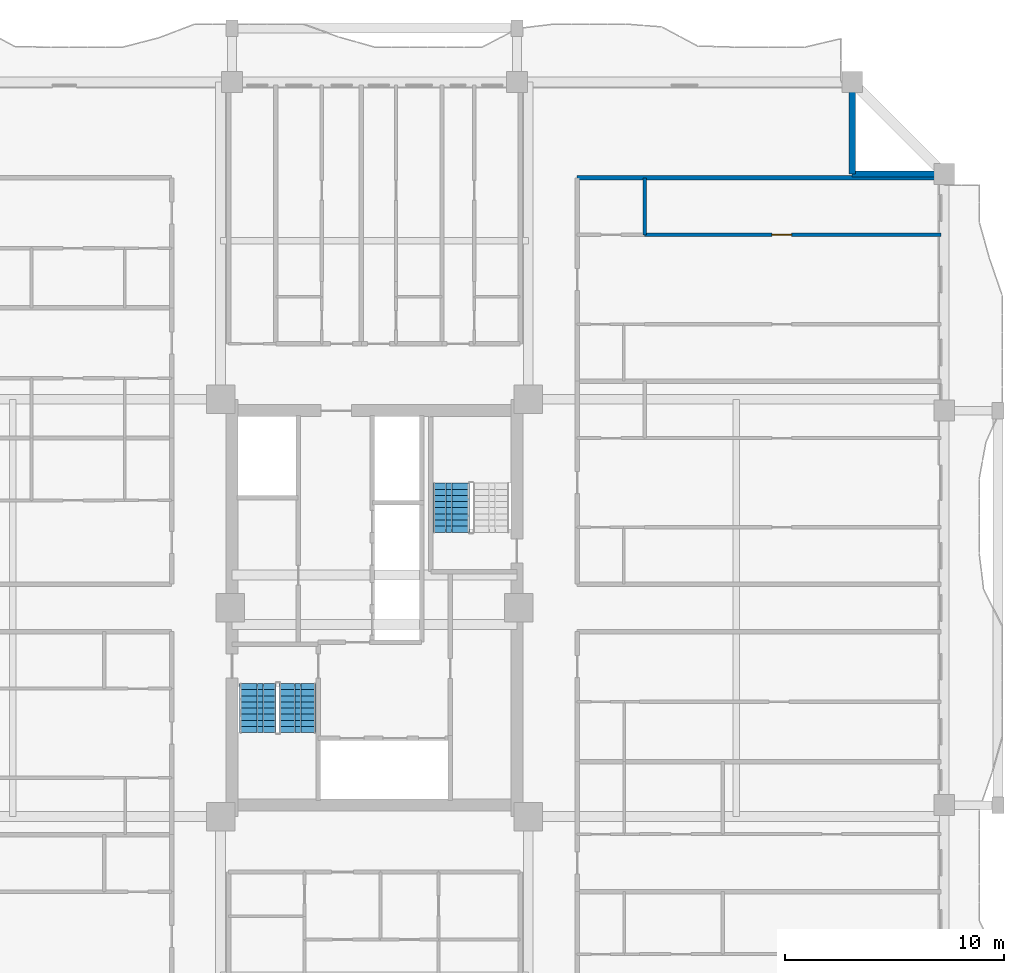
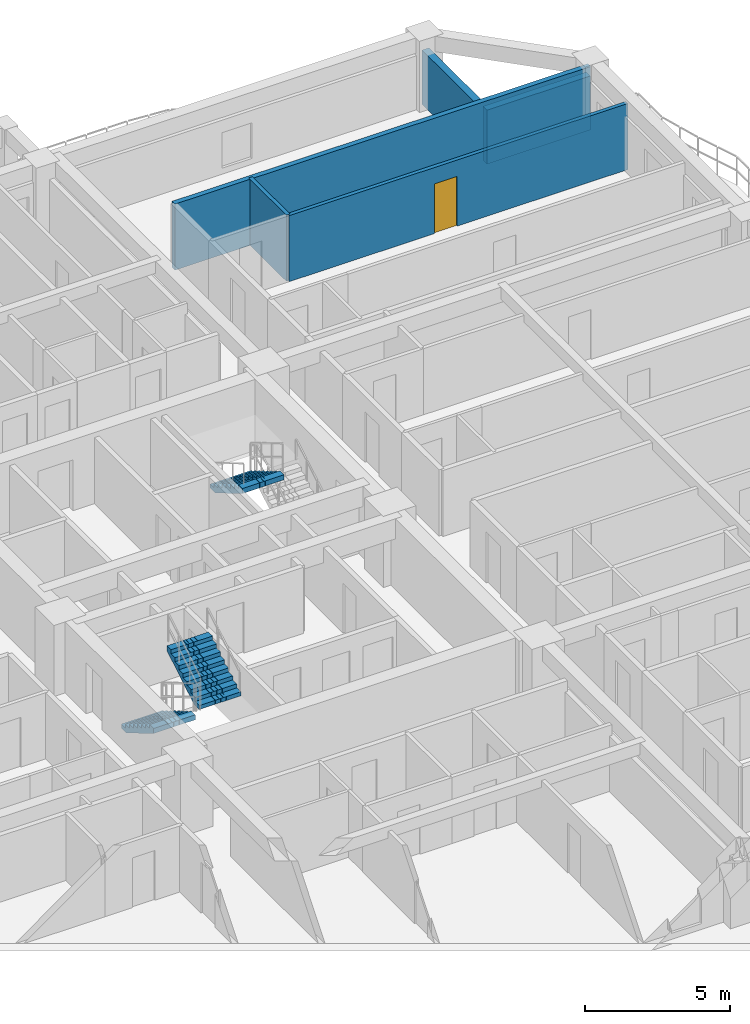
# One storey, part 9 of 14: 5 walls, 3 stair flights, 1 door, 1 opening, 2 elements without a shape of their own.
"""IFC4 building model written with IfcOpenShell, lengths in metres."""

from ifc_helpers import new_model, si_unit, direction, frame, frame_2d, origin, place, context, subcontext, project, spatial, polyline, rectangle, outline, extrude, source, transform, mapped, material, layer, layer_set, type_object, element, fill, aggregate, save


model = new_model("IFC4")

# Units and contexts
model_context = context("Model", 3, precision=1e-05, world=origin(), true_north=direction((0.0, 1.0)))
body_context = subcontext(model_context, "Body", "Model", "MODEL_VIEW")
ifc_project = project(units=[si_unit("LENGTHUNIT", "METRE"), si_unit("AREAUNIT", "SQUARE_METRE"), si_unit("VOLUMEUNIT", "CUBIC_METRE"), si_unit("PLANEANGLEUNIT", "RADIAN"), si_unit("MASSUNIT", "GRAM", prefix="KILO")], contexts=[model_context])

# Site, building, storey
site_placement = place(None, origin())
site = spatial("IfcSite", under=ifc_project, at=site_placement, CompositionType="ELEMENT")
building_placement = place(site_placement, origin())
building = spatial("IfcBuilding", under=site, at=building_placement, Name="Saelheon Loggia Tower", CompositionType="ELEMENT")
storey_placement = place(building_placement, frame((0.0, 0.0, 119.85009765625)))
storey = spatial("IfcBuildingStorey", under=building, at=storey_placement, Name="L38", CompositionType="ELEMENT", Elevation=119.85009765625)

# Walls
ifc_material_1 = material(Name="Architectural Precast Concrete C40/50", Category="concrete")
ifc_layer_1 = layer(ifc_material_1, 0.280029296875)
ifc_layer_set_1 = layer_set([ifc_layer_1], Name="Architectural Precast Concrete C40/50")
wall_type_1 = type_object("IfcWallType", Name="Wall_Ext_Loggia_280", PredefinedType="SOLIDWALL", material=ifc_layer_set_1)
for number, where, z_axis, x_axis, name in (
    (1, (59.800048828125, 46.800048828125, 0.0), (0.0, 0.0, 1.0), (0.0, 1.0, 0.0), "L38 Corner Notch Precast Wall NE1"),
    (2, (59.800048828125, 46.800048828125, 0.0), (0.0, 0.0, 1.0), (1.0, 0.0, 0.0), "L38 Corner Notch Precast Wall NE2"),
):
    element("IfcWall", number, at=place(storey_placement, frame(where, z_axis=z_axis, x_axis=x_axis)), inside=storey, type_object=wall_type_1, Name=name, PredefinedType="SOLIDWALL", context=body_context, shape_type="SweptSolid", body=[
        extrude(rectangle(XDim=4.119873046875, YDim=0.280029296875, at=frame_2d((2.06005859375, 0.0))), origin(), (0.0, 0.0, 1.0), 2.27978515625),
    ])
ifc_material_2 = material(Name="Lightweight Autoclaved Aerated Concrete Block and Acoustic Gypsum", Category="concrete")
ifc_layer_2 = layer(ifc_material_2, 0.14990234375)
ifc_layer_set_2 = layer_set([ifc_layer_2], Name="Lightweight Autoclaved Aerated Concrete Block and Acoustic Gypsum")
wall_type_2 = type_object("IfcWallType", Name="Wall_Part_150", PredefinedType="PARTITIONING", material=ifc_layer_set_2)
wall_1_placement = place(storey_placement, frame((50.330078125, 44.02001953125, 0.0), z_axis=(0.0, 0.0, 1.0), x_axis=(0.0, 1.0, 0.0)))
element("IfcWall", 3, at=wall_1_placement, inside=storey, type_object=wall_type_2, Name="L38 EN Partition V18", PredefinedType="PARTITIONING", context=body_context, shape_type="SweptSolid", body=[
    extrude(rectangle(XDim=2.60009765625, YDim=0.14990234375, at=frame_2d((1.300048828125, 0.0))), origin(), (0.0, 0.0, 1.0), 2.789794921875),
])

# Wall, opening, door
wall_2_placement = place(storey_placement, frame((50.330078125, 44.02001953125, 0.0), z_axis=(0.0, 0.0, 1.0), x_axis=(1.0, 0.0, 0.0)))
wall_2 = element("IfcWall", 4, at=wall_2_placement, inside=storey, type_object=wall_type_2, Name="L38 EN Partition U23", PredefinedType="PARTITIONING", context=body_context, shape_type="SweptSolid", body=[
    extrude(rectangle(XDim=13.52001953125, YDim=0.14990234375, at=frame_2d((6.760009765625, 0.0))), origin(), (0.0, 0.0, 1.0), 2.789794921875),
])
opening_placement = place(wall_2_placement, frame((5.80419921875, 0.0, 0.0)))
opening = element("IfcOpeningElement", 5, at=opening_placement, cuts=wall_2, Name="Opening D-IN2", PredefinedType="OPENING", context=body_context, shape_type="SweptSolid", body=[
    extrude(rectangle(XDim=0.89990234375, YDim=2.10009765625, at=frame_2d((0.449951171875, 1.050048828125))), frame((0.0, 0.0869140625, 0.0), z_axis=(0.0, -1.0, 0.0), x_axis=(1.0, 0.0, 0.0)), (0.0, 0.0, 1.0), 0.173828125),
])
ifc_material_3 = material(Name="Engineered Oak Flush Door", Category="timber")
door_type = type_object("IfcDoorType", Name="Door_Int_900", OperationType="NOTDEFINED", PredefinedType="DOOR", material=ifc_material_3)
shared_shape = source(origin(), body_context, "Body", "SweptSolid", [
    extrude(rectangle(XDim=0.89990234375, YDim=2.10009765625, at=frame_2d((0.449951171875, 1.050048828125))), frame((0.0, 0.02490234375, 0.0), z_axis=(0.0, -1.0, 0.0), x_axis=(1.0, 0.0, 0.0)), (0.0, 0.0, 1.0), 0.050048828125),
])
door_placement = place(opening_placement, origin())
door = element("IfcDoor", 6, at=door_placement, inside=storey, type_object=door_type, Name="Unit U14 Bedroom 1 Door", OperationType="SINGLE_SWING_LEFT", OverallHeight=2.10009765625, OverallWidth=0.89990234375, PredefinedType="DOOR", context=body_context, shape_type="MappedRepresentation", body=[
    mapped(shared_shape, transform((0.0, 0.0, 0.0), scale=1.0)),
])
fill(opening, door)

# Wall
ifc_material_4 = material(Name="Double Acoustic Stud and Fireboard Partition", Category="gypsum")
ifc_layer_3 = layer(ifc_material_4, 0.199951171875)
ifc_layer_set_3 = layer_set([ifc_layer_3], Name="Double Acoustic Stud and Fireboard Partition")
wall_type_3 = type_object("IfcWallType", Name="Wall_Party_200", PredefinedType="PARTITIONING", material=ifc_layer_set_3)
wall_3_placement = place(storey_placement, frame((47.25, 46.6201171875, 0.0), z_axis=(0.0, 0.0, 1.0), x_axis=(1.0, 0.0, 0.0)))
element("IfcWall", 7, at=wall_3_placement, inside=storey, type_object=wall_type_3, Name="L38 EN Partition U02", PredefinedType="PARTITIONING", context=body_context, shape_type="SweptSolid", body=[
    extrude(rectangle(XDim=16.60009765625, YDim=0.199951171875, at=frame_2d((8.300048828125, 0.0))), origin(), (0.0, 0.0, 1.0), 2.789794921875),
])

# Stair, stair flights
ifc_material_5 = material(Name="Concrete C40/50", Category="concrete")
stair_type = type_object("IfcStairType", Name="Stair_Escape_Core", PredefinedType="HALF_TURN_STAIR", material=ifc_material_5)
stair_1_placement = place(storey_placement, origin())
stair_1 = element("IfcStair", 8, at=stair_1_placement, inside=storey, type_object=stair_type, Name="L38 Special Escape Stair ST1", PredefinedType="HALF_TURN_STAIR")
stair_flight_type = type_object("IfcStairFlightType", Name="StairFlight_Tower_1660", PredefinedType="STRAIGHT", material=ifc_material_5)
stair_flight_1_placement = place(storey_placement, frame((32.679931640625, 23.550048828125, 0.0), z_axis=(0.0, 0.0, 1.0), x_axis=(0.0, -1.0, 0.0)))
stair_flight_1 = element("IfcStairFlight", 9, at=stair_flight_1_placement, type_object=stair_flight_type, Name="ST1 flight 1", NumberOfRisers=9, NumberOfTreads=8, PredefinedType="STRAIGHT", RiserHeight=0.166666667, TreadLength=0.28, context=body_context, shape_type="SweptSolid", body=[
    extrude(outline(polyline([(0.0, 0.0), (0.0, 0.166748046875), (0.280029296875, 0.166748046875), (0.280029296875, 0.333251953125), (0.56005859375, 0.333251953125), (0.56005859375, 0.5), (0.840087890625, 0.5), (0.840087890625, 0.666748046875), (1.1201171875, 0.666748046875), (1.1201171875, 0.833251953125), (1.39990234375, 0.833251953125), (1.39990234375, 1.0), (1.679931640625, 1.0), (1.679931640625, 1.166748046875), (1.9599609375, 1.166748046875), (1.9599609375, 1.333251953125), (2.239990234375, 1.333251953125), (2.239990234375, 1.5), (2.239990234375, 1.1240234375), (0.351806640625, 0.0), (0.0, 0.0)])), frame((0.0, -0.2490234375, 0.0), z_axis=(0.0, -1.0, 0.0), x_axis=(1.0, 0.0, 0.0)), (0.0, 0.0, 1.0), 0.5810546875),
    extrude(outline(polyline([(0.0, 0.0), (0.0, 0.166748046875), (0.280029296875, 0.166748046875), (0.280029296875, 0.333251953125), (0.56005859375, 0.333251953125), (0.56005859375, 0.5), (0.840087890625, 0.5), (0.840087890625, 0.666748046875), (1.1201171875, 0.666748046875), (1.1201171875, 0.833251953125), (1.39990234375, 0.833251953125), (1.39990234375, 1.0), (1.679931640625, 1.0), (1.679931640625, 1.166748046875), (1.9599609375, 1.166748046875), (1.9599609375, 1.333251953125), (2.239990234375, 1.333251953125), (2.239990234375, 1.5), (2.239990234375, 1.1240234375), (0.351806640625, 0.0), (0.0, 0.0)])), frame((0.0, -0.194091796875, 0.0), z_axis=(0.0, -1.0, 0.0), x_axis=(1.0, 0.0, 0.0)), (0.0, 0.0, 1.0), 0.0498046875),
    extrude(outline(polyline([(0.0, 0.0), (0.0, 0.166748046875), (0.280029296875, 0.166748046875), (0.280029296875, 0.333251953125), (0.56005859375, 0.333251953125), (0.56005859375, 0.5), (0.840087890625, 0.5), (0.840087890625, 0.666748046875), (1.1201171875, 0.666748046875), (1.1201171875, 0.833251953125), (1.39990234375, 0.833251953125), (1.39990234375, 1.0), (1.679931640625, 1.0), (1.679931640625, 1.166748046875), (1.9599609375, 1.166748046875), (1.9599609375, 1.333251953125), (2.239990234375, 1.333251953125), (2.239990234375, 1.5), (2.239990234375, 1.1240234375), (0.351806640625, 0.0), (0.0, 0.0)])), frame((0.0, -0.139404296875, 0.0), z_axis=(0.0, -1.0, 0.0), x_axis=(1.0, 0.0, 0.0)), (0.0, 0.0, 1.0), 0.0498046875),
    extrude(outline(polyline([(0.0, 0.0), (0.0, 0.166748046875), (0.280029296875, 0.166748046875), (0.280029296875, 0.333251953125), (0.56005859375, 0.333251953125), (0.56005859375, 0.5), (0.840087890625, 0.5), (0.840087890625, 0.666748046875), (1.1201171875, 0.666748046875), (1.1201171875, 0.833251953125), (1.39990234375, 0.833251953125), (1.39990234375, 1.0), (1.679931640625, 1.0), (1.679931640625, 1.166748046875), (1.9599609375, 1.166748046875), (1.9599609375, 1.333251953125), (2.239990234375, 1.333251953125), (2.239990234375, 1.5), (2.239990234375, 1.1240234375), (0.351806640625, 0.0), (0.0, 0.0)])), frame((0.0, -0.084716796875, 0.0), z_axis=(0.0, -1.0, 0.0), x_axis=(1.0, 0.0, 0.0)), (0.0, 0.0, 1.0), 0.0498046875),
    extrude(outline(polyline([(0.0, 0.0), (0.0, 0.166748046875), (0.280029296875, 0.166748046875), (0.280029296875, 0.333251953125), (0.56005859375, 0.333251953125), (0.56005859375, 0.5), (0.840087890625, 0.5), (0.840087890625, 0.666748046875), (1.1201171875, 0.666748046875), (1.1201171875, 0.833251953125), (1.39990234375, 0.833251953125), (1.39990234375, 1.0), (1.679931640625, 1.0), (1.679931640625, 1.166748046875), (1.9599609375, 1.166748046875), (1.9599609375, 1.333251953125), (2.239990234375, 1.333251953125), (2.239990234375, 1.5), (2.239990234375, 1.1240234375), (0.351806640625, 0.0), (0.0, 0.0)])), frame((0.0, -0.02978515625, 0.0), z_axis=(0.0, -1.0, 0.0), x_axis=(1.0, 0.0, 0.0)), (0.0, 0.0, 1.0), 0.0498046875),
    extrude(outline(polyline([(0.0, 0.0), (0.0, 0.166748046875), (0.280029296875, 0.166748046875), (0.280029296875, 0.333251953125), (0.56005859375, 0.333251953125), (0.56005859375, 0.5), (0.840087890625, 0.5), (0.840087890625, 0.666748046875), (1.1201171875, 0.666748046875), (1.1201171875, 0.833251953125), (1.39990234375, 0.833251953125), (1.39990234375, 1.0), (1.679931640625, 1.0), (1.679931640625, 1.166748046875), (1.9599609375, 1.166748046875), (1.9599609375, 1.333251953125), (2.239990234375, 1.333251953125), (2.239990234375, 1.5), (2.239990234375, 1.1240234375), (0.351806640625, 0.0), (0.0, 0.0)])), frame((0.0, 0.02490234375, 0.0), z_axis=(0.0, -1.0, 0.0), x_axis=(1.0, 0.0, 0.0)), (0.0, 0.0, 1.0), 0.0498046875),
    extrude(outline(polyline([(0.0, 0.0), (0.0, 0.166748046875), (0.280029296875, 0.166748046875), (0.280029296875, 0.333251953125), (0.56005859375, 0.333251953125), (0.56005859375, 0.5), (0.840087890625, 0.5), (0.840087890625, 0.666748046875), (1.1201171875, 0.666748046875), (1.1201171875, 0.833251953125), (1.39990234375, 0.833251953125), (1.39990234375, 1.0), (1.679931640625, 1.0), (1.679931640625, 1.166748046875), (1.9599609375, 1.166748046875), (1.9599609375, 1.333251953125), (2.239990234375, 1.333251953125), (2.239990234375, 1.5), (2.239990234375, 1.1240234375), (0.351806640625, 0.0), (0.0, 0.0)])), frame((0.0, 0.07958984375, 0.0), z_axis=(0.0, -1.0, 0.0), x_axis=(1.0, 0.0, 0.0)), (0.0, 0.0, 1.0), 0.0498046875),
    extrude(outline(polyline([(0.0, 0.0), (0.0, 0.166748046875), (0.280029296875, 0.166748046875), (0.280029296875, 0.333251953125), (0.56005859375, 0.333251953125), (0.56005859375, 0.5), (0.840087890625, 0.5), (0.840087890625, 0.666748046875), (1.1201171875, 0.666748046875), (1.1201171875, 0.833251953125), (1.39990234375, 0.833251953125), (1.39990234375, 1.0), (1.679931640625, 1.0), (1.679931640625, 1.166748046875), (1.9599609375, 1.166748046875), (1.9599609375, 1.333251953125), (2.239990234375, 1.333251953125), (2.239990234375, 1.5), (2.239990234375, 1.1240234375), (0.351806640625, 0.0), (0.0, 0.0)])), frame((0.0, 0.134521484375, 0.0), z_axis=(0.0, -1.0, 0.0), x_axis=(1.0, 0.0, 0.0)), (0.0, 0.0, 1.0), 0.0498046875),
    extrude(outline(polyline([(0.0, 0.0), (0.0, 0.166748046875), (0.280029296875, 0.166748046875), (0.280029296875, 0.333251953125), (0.56005859375, 0.333251953125), (0.56005859375, 0.5), (0.840087890625, 0.5), (0.840087890625, 0.666748046875), (1.1201171875, 0.666748046875), (1.1201171875, 0.833251953125), (1.39990234375, 0.833251953125), (1.39990234375, 1.0), (1.679931640625, 1.0), (1.679931640625, 1.166748046875), (1.9599609375, 1.166748046875), (1.9599609375, 1.333251953125), (2.239990234375, 1.333251953125), (2.239990234375, 1.5), (2.239990234375, 1.1240234375), (0.351806640625, 0.0), (0.0, 0.0)])), frame((0.0, 0.189208984375, 0.0), z_axis=(0.0, -1.0, 0.0), x_axis=(1.0, 0.0, 0.0)), (0.0, 0.0, 1.0), 0.0498046875),
    extrude(outline(polyline([(0.0, 0.0), (0.0, 0.166748046875), (0.280029296875, 0.166748046875), (0.280029296875, 0.333251953125), (0.56005859375, 0.333251953125), (0.56005859375, 0.5), (0.840087890625, 0.5), (0.840087890625, 0.666748046875), (1.1201171875, 0.666748046875), (1.1201171875, 0.833251953125), (1.39990234375, 0.833251953125), (1.39990234375, 1.0), (1.679931640625, 1.0), (1.679931640625, 1.166748046875), (1.9599609375, 1.166748046875), (1.9599609375, 1.333251953125), (2.239990234375, 1.333251953125), (2.239990234375, 1.5), (2.239990234375, 1.1240234375), (0.351806640625, 0.0), (0.0, 0.0)])), frame((0.0, 0.243896484375, 0.0), z_axis=(0.0, -1.0, 0.0), x_axis=(1.0, 0.0, 0.0)), (0.0, 0.0, 1.0), 0.0498046875),
    extrude(outline(polyline([(0.0, 0.0), (0.0, 0.166748046875), (0.280029296875, 0.166748046875), (0.280029296875, 0.333251953125), (0.56005859375, 0.333251953125), (0.56005859375, 0.5), (0.840087890625, 0.5), (0.840087890625, 0.666748046875), (1.1201171875, 0.666748046875), (1.1201171875, 0.833251953125), (1.39990234375, 0.833251953125), (1.39990234375, 1.0), (1.679931640625, 1.0), (1.679931640625, 1.166748046875), (1.9599609375, 1.166748046875), (1.9599609375, 1.333251953125), (2.239990234375, 1.333251953125), (2.239990234375, 1.5), (2.239990234375, 1.1240234375), (0.351806640625, 0.0), (0.0, 0.0)])), frame((0.0, 0.830078125, 0.0), z_axis=(0.0, -1.0, 0.0), x_axis=(1.0, 0.0, 0.0)), (0.0, 0.0, 1.0), 0.5810546875),
])
stair_flight_2_placement = place(storey_placement, frame((34.5, 21.31005859375, 1.5), z_axis=(0.0, 0.0, 1.0), x_axis=(0.0, 1.0, 0.0)))
stair_flight_2 = element("IfcStairFlight", 10, at=stair_flight_2_placement, type_object=stair_flight_type, Name="ST1 flight 2", NumberOfRisers=9, NumberOfTreads=8, PredefinedType="STRAIGHT", RiserHeight=0.166666667, TreadLength=0.28, context=body_context, shape_type="SweptSolid", body=[
    extrude(outline(polyline([(0.0, 0.0), (0.0, 0.166748046875), (0.280029296875, 0.166748046875), (0.280029296875, 0.333251953125), (0.56005859375, 0.333251953125), (0.56005859375, 0.5), (0.840087890625, 0.5), (0.840087890625, 0.666748046875), (1.1201171875, 0.666748046875), (1.1201171875, 0.833251953125), (1.39990234375, 0.833251953125), (1.39990234375, 1.0), (1.679931640625, 1.0), (1.679931640625, 1.166748046875), (1.9599609375, 1.166748046875), (1.9599609375, 1.333251953125), (2.239990234375, 1.333251953125), (2.239990234375, 1.5), (2.239990234375, 1.1240234375), (0.351806640625, 0.0), (0.0, 0.0)])), frame((0.0, -0.2490234375, 0.0), z_axis=(0.0, -1.0, 0.0), x_axis=(1.0, 0.0, 0.0)), (0.0, 0.0, 1.0), 0.5810546875),
    extrude(outline(polyline([(0.0, 0.0), (0.0, 0.166748046875), (0.280029296875, 0.166748046875), (0.280029296875, 0.333251953125), (0.56005859375, 0.333251953125), (0.56005859375, 0.5), (0.840087890625, 0.5), (0.840087890625, 0.666748046875), (1.1201171875, 0.666748046875), (1.1201171875, 0.833251953125), (1.39990234375, 0.833251953125), (1.39990234375, 1.0), (1.679931640625, 1.0), (1.679931640625, 1.166748046875), (1.9599609375, 1.166748046875), (1.9599609375, 1.333251953125), (2.239990234375, 1.333251953125), (2.239990234375, 1.5), (2.239990234375, 1.1240234375), (0.351806640625, 0.0), (0.0, 0.0)])), frame((0.0, -0.194091796875, 0.0), z_axis=(0.0, -1.0, 0.0), x_axis=(1.0, 0.0, 0.0)), (0.0, 0.0, 1.0), 0.0498046875),
    extrude(outline(polyline([(0.0, 0.0), (0.0, 0.166748046875), (0.280029296875, 0.166748046875), (0.280029296875, 0.333251953125), (0.56005859375, 0.333251953125), (0.56005859375, 0.5), (0.840087890625, 0.5), (0.840087890625, 0.666748046875), (1.1201171875, 0.666748046875), (1.1201171875, 0.833251953125), (1.39990234375, 0.833251953125), (1.39990234375, 1.0), (1.679931640625, 1.0), (1.679931640625, 1.166748046875), (1.9599609375, 1.166748046875), (1.9599609375, 1.333251953125), (2.239990234375, 1.333251953125), (2.239990234375, 1.5), (2.239990234375, 1.1240234375), (0.351806640625, 0.0), (0.0, 0.0)])), frame((0.0, -0.139404296875, 0.0), z_axis=(0.0, -1.0, 0.0), x_axis=(1.0, 0.0, 0.0)), (0.0, 0.0, 1.0), 0.0498046875),
    extrude(outline(polyline([(0.0, 0.0), (0.0, 0.166748046875), (0.280029296875, 0.166748046875), (0.280029296875, 0.333251953125), (0.56005859375, 0.333251953125), (0.56005859375, 0.5), (0.840087890625, 0.5), (0.840087890625, 0.666748046875), (1.1201171875, 0.666748046875), (1.1201171875, 0.833251953125), (1.39990234375, 0.833251953125), (1.39990234375, 1.0), (1.679931640625, 1.0), (1.679931640625, 1.166748046875), (1.9599609375, 1.166748046875), (1.9599609375, 1.333251953125), (2.239990234375, 1.333251953125), (2.239990234375, 1.5), (2.239990234375, 1.1240234375), (0.351806640625, 0.0), (0.0, 0.0)])), frame((0.0, -0.084716796875, 0.0), z_axis=(0.0, -1.0, 0.0), x_axis=(1.0, 0.0, 0.0)), (0.0, 0.0, 1.0), 0.0498046875),
    extrude(outline(polyline([(0.0, 0.0), (0.0, 0.166748046875), (0.280029296875, 0.166748046875), (0.280029296875, 0.333251953125), (0.56005859375, 0.333251953125), (0.56005859375, 0.5), (0.840087890625, 0.5), (0.840087890625, 0.666748046875), (1.1201171875, 0.666748046875), (1.1201171875, 0.833251953125), (1.39990234375, 0.833251953125), (1.39990234375, 1.0), (1.679931640625, 1.0), (1.679931640625, 1.166748046875), (1.9599609375, 1.166748046875), (1.9599609375, 1.333251953125), (2.239990234375, 1.333251953125), (2.239990234375, 1.5), (2.239990234375, 1.1240234375), (0.351806640625, 0.0), (0.0, 0.0)])), frame((0.0, -0.02978515625, 0.0), z_axis=(0.0, -1.0, 0.0), x_axis=(1.0, 0.0, 0.0)), (0.0, 0.0, 1.0), 0.0498046875),
    extrude(outline(polyline([(0.0, 0.0), (0.0, 0.166748046875), (0.280029296875, 0.166748046875), (0.280029296875, 0.333251953125), (0.56005859375, 0.333251953125), (0.56005859375, 0.5), (0.840087890625, 0.5), (0.840087890625, 0.666748046875), (1.1201171875, 0.666748046875), (1.1201171875, 0.833251953125), (1.39990234375, 0.833251953125), (1.39990234375, 1.0), (1.679931640625, 1.0), (1.679931640625, 1.166748046875), (1.9599609375, 1.166748046875), (1.9599609375, 1.333251953125), (2.239990234375, 1.333251953125), (2.239990234375, 1.5), (2.239990234375, 1.1240234375), (0.351806640625, 0.0), (0.0, 0.0)])), frame((0.0, 0.02490234375, 0.0), z_axis=(0.0, -1.0, 0.0), x_axis=(1.0, 0.0, 0.0)), (0.0, 0.0, 1.0), 0.0498046875),
    extrude(outline(polyline([(0.0, 0.0), (0.0, 0.166748046875), (0.280029296875, 0.166748046875), (0.280029296875, 0.333251953125), (0.56005859375, 0.333251953125), (0.56005859375, 0.5), (0.840087890625, 0.5), (0.840087890625, 0.666748046875), (1.1201171875, 0.666748046875), (1.1201171875, 0.833251953125), (1.39990234375, 0.833251953125), (1.39990234375, 1.0), (1.679931640625, 1.0), (1.679931640625, 1.166748046875), (1.9599609375, 1.166748046875), (1.9599609375, 1.333251953125), (2.239990234375, 1.333251953125), (2.239990234375, 1.5), (2.239990234375, 1.1240234375), (0.351806640625, 0.0), (0.0, 0.0)])), frame((0.0, 0.07958984375, 0.0), z_axis=(0.0, -1.0, 0.0), x_axis=(1.0, 0.0, 0.0)), (0.0, 0.0, 1.0), 0.0498046875),
    extrude(outline(polyline([(0.0, 0.0), (0.0, 0.166748046875), (0.280029296875, 0.166748046875), (0.280029296875, 0.333251953125), (0.56005859375, 0.333251953125), (0.56005859375, 0.5), (0.840087890625, 0.5), (0.840087890625, 0.666748046875), (1.1201171875, 0.666748046875), (1.1201171875, 0.833251953125), (1.39990234375, 0.833251953125), (1.39990234375, 1.0), (1.679931640625, 1.0), (1.679931640625, 1.166748046875), (1.9599609375, 1.166748046875), (1.9599609375, 1.333251953125), (2.239990234375, 1.333251953125), (2.239990234375, 1.5), (2.239990234375, 1.1240234375), (0.351806640625, 0.0), (0.0, 0.0)])), frame((0.0, 0.134521484375, 0.0), z_axis=(0.0, -1.0, 0.0), x_axis=(1.0, 0.0, 0.0)), (0.0, 0.0, 1.0), 0.0498046875),
    extrude(outline(polyline([(0.0, 0.0), (0.0, 0.166748046875), (0.280029296875, 0.166748046875), (0.280029296875, 0.333251953125), (0.56005859375, 0.333251953125), (0.56005859375, 0.5), (0.840087890625, 0.5), (0.840087890625, 0.666748046875), (1.1201171875, 0.666748046875), (1.1201171875, 0.833251953125), (1.39990234375, 0.833251953125), (1.39990234375, 1.0), (1.679931640625, 1.0), (1.679931640625, 1.166748046875), (1.9599609375, 1.166748046875), (1.9599609375, 1.333251953125), (2.239990234375, 1.333251953125), (2.239990234375, 1.5), (2.239990234375, 1.1240234375), (0.351806640625, 0.0), (0.0, 0.0)])), frame((0.0, 0.189208984375, 0.0), z_axis=(0.0, -1.0, 0.0), x_axis=(1.0, 0.0, 0.0)), (0.0, 0.0, 1.0), 0.0498046875),
    extrude(outline(polyline([(0.0, 0.0), (0.0, 0.166748046875), (0.280029296875, 0.166748046875), (0.280029296875, 0.333251953125), (0.56005859375, 0.333251953125), (0.56005859375, 0.5), (0.840087890625, 0.5), (0.840087890625, 0.666748046875), (1.1201171875, 0.666748046875), (1.1201171875, 0.833251953125), (1.39990234375, 0.833251953125), (1.39990234375, 1.0), (1.679931640625, 1.0), (1.679931640625, 1.166748046875), (1.9599609375, 1.166748046875), (1.9599609375, 1.333251953125), (2.239990234375, 1.333251953125), (2.239990234375, 1.5), (2.239990234375, 1.1240234375), (0.351806640625, 0.0), (0.0, 0.0)])), frame((0.0, 0.243896484375, 0.0), z_axis=(0.0, -1.0, 0.0), x_axis=(1.0, 0.0, 0.0)), (0.0, 0.0, 1.0), 0.0498046875),
    extrude(outline(polyline([(0.0, 0.0), (0.0, 0.166748046875), (0.280029296875, 0.166748046875), (0.280029296875, 0.333251953125), (0.56005859375, 0.333251953125), (0.56005859375, 0.5), (0.840087890625, 0.5), (0.840087890625, 0.666748046875), (1.1201171875, 0.666748046875), (1.1201171875, 0.833251953125), (1.39990234375, 0.833251953125), (1.39990234375, 1.0), (1.679931640625, 1.0), (1.679931640625, 1.166748046875), (1.9599609375, 1.166748046875), (1.9599609375, 1.333251953125), (2.239990234375, 1.333251953125), (2.239990234375, 1.5), (2.239990234375, 1.1240234375), (0.351806640625, 0.0), (0.0, 0.0)])), frame((0.0, 0.830078125, 0.0), z_axis=(0.0, -1.0, 0.0), x_axis=(1.0, 0.0, 0.0)), (0.0, 0.0, 1.0), 0.5810546875),
])
aggregate(stair_1, [stair_flight_1, stair_flight_2])

# Stair, stair flight
stair_2_placement = place(storey_placement, origin())
stair_2 = element("IfcStair", 11, at=stair_2_placement, inside=storey, type_object=stair_type, Name="L38 Special Escape Stair ST2", PredefinedType="HALF_TURN_STAIR")
stair_flight_3_placement = place(storey_placement, frame((41.5, 32.68994140625, 1.5), z_axis=(0.0, 0.0, 1.0), x_axis=(0.0, -1.0, 0.0)))
stair_flight_3 = element("IfcStairFlight", 12, at=stair_flight_3_placement, type_object=stair_flight_type, Name="ST2 flight 2", NumberOfRisers=9, NumberOfTreads=8, PredefinedType="STRAIGHT", RiserHeight=0.166666667, TreadLength=0.28, context=body_context, shape_type="SweptSolid", body=[
    extrude(outline(polyline([(0.0, 0.0), (0.0, 0.166748046875), (0.280029296875, 0.166748046875), (0.280029296875, 0.333251953125), (0.56005859375, 0.333251953125), (0.56005859375, 0.5), (0.840087890625, 0.5), (0.840087890625, 0.666748046875), (1.1201171875, 0.666748046875), (1.1201171875, 0.833251953125), (1.39990234375, 0.833251953125), (1.39990234375, 1.0), (1.679931640625, 1.0), (1.679931640625, 1.166748046875), (1.9599609375, 1.166748046875), (1.9599609375, 1.333251953125), (2.239990234375, 1.333251953125), (2.239990234375, 1.5), (2.239990234375, 1.1240234375), (0.351806640625, 0.0), (0.0, 0.0)])), frame((0.0, -0.2490234375, 0.0), z_axis=(0.0, -1.0, 0.0), x_axis=(1.0, 0.0, 0.0)), (0.0, 0.0, 1.0), 0.5810546875),
    extrude(outline(polyline([(0.0, 0.0), (0.0, 0.166748046875), (0.280029296875, 0.166748046875), (0.280029296875, 0.333251953125), (0.56005859375, 0.333251953125), (0.56005859375, 0.5), (0.840087890625, 0.5), (0.840087890625, 0.666748046875), (1.1201171875, 0.666748046875), (1.1201171875, 0.833251953125), (1.39990234375, 0.833251953125), (1.39990234375, 1.0), (1.679931640625, 1.0), (1.679931640625, 1.166748046875), (1.9599609375, 1.166748046875), (1.9599609375, 1.333251953125), (2.239990234375, 1.333251953125), (2.239990234375, 1.5), (2.239990234375, 1.1240234375), (0.351806640625, 0.0), (0.0, 0.0)])), frame((0.0, -0.194091796875, 0.0), z_axis=(0.0, -1.0, 0.0), x_axis=(1.0, 0.0, 0.0)), (0.0, 0.0, 1.0), 0.0498046875),
    extrude(outline(polyline([(0.0, 0.0), (0.0, 0.166748046875), (0.280029296875, 0.166748046875), (0.280029296875, 0.333251953125), (0.56005859375, 0.333251953125), (0.56005859375, 0.5), (0.840087890625, 0.5), (0.840087890625, 0.666748046875), (1.1201171875, 0.666748046875), (1.1201171875, 0.833251953125), (1.39990234375, 0.833251953125), (1.39990234375, 1.0), (1.679931640625, 1.0), (1.679931640625, 1.166748046875), (1.9599609375, 1.166748046875), (1.9599609375, 1.333251953125), (2.239990234375, 1.333251953125), (2.239990234375, 1.5), (2.239990234375, 1.1240234375), (0.351806640625, 0.0), (0.0, 0.0)])), frame((0.0, -0.139404296875, 0.0), z_axis=(0.0, -1.0, 0.0), x_axis=(1.0, 0.0, 0.0)), (0.0, 0.0, 1.0), 0.0498046875),
    extrude(outline(polyline([(0.0, 0.0), (0.0, 0.166748046875), (0.280029296875, 0.166748046875), (0.280029296875, 0.333251953125), (0.56005859375, 0.333251953125), (0.56005859375, 0.5), (0.840087890625, 0.5), (0.840087890625, 0.666748046875), (1.1201171875, 0.666748046875), (1.1201171875, 0.833251953125), (1.39990234375, 0.833251953125), (1.39990234375, 1.0), (1.679931640625, 1.0), (1.679931640625, 1.166748046875), (1.9599609375, 1.166748046875), (1.9599609375, 1.333251953125), (2.239990234375, 1.333251953125), (2.239990234375, 1.5), (2.239990234375, 1.1240234375), (0.351806640625, 0.0), (0.0, 0.0)])), frame((0.0, -0.084716796875, 0.0), z_axis=(0.0, -1.0, 0.0), x_axis=(1.0, 0.0, 0.0)), (0.0, 0.0, 1.0), 0.0498046875),
    extrude(outline(polyline([(0.0, 0.0), (0.0, 0.166748046875), (0.280029296875, 0.166748046875), (0.280029296875, 0.333251953125), (0.56005859375, 0.333251953125), (0.56005859375, 0.5), (0.840087890625, 0.5), (0.840087890625, 0.666748046875), (1.1201171875, 0.666748046875), (1.1201171875, 0.833251953125), (1.39990234375, 0.833251953125), (1.39990234375, 1.0), (1.679931640625, 1.0), (1.679931640625, 1.166748046875), (1.9599609375, 1.166748046875), (1.9599609375, 1.333251953125), (2.239990234375, 1.333251953125), (2.239990234375, 1.5), (2.239990234375, 1.1240234375), (0.351806640625, 0.0), (0.0, 0.0)])), frame((0.0, -0.02978515625, 0.0), z_axis=(0.0, -1.0, 0.0), x_axis=(1.0, 0.0, 0.0)), (0.0, 0.0, 1.0), 0.0498046875),
    extrude(outline(polyline([(0.0, 0.0), (0.0, 0.166748046875), (0.280029296875, 0.166748046875), (0.280029296875, 0.333251953125), (0.56005859375, 0.333251953125), (0.56005859375, 0.5), (0.840087890625, 0.5), (0.840087890625, 0.666748046875), (1.1201171875, 0.666748046875), (1.1201171875, 0.833251953125), (1.39990234375, 0.833251953125), (1.39990234375, 1.0), (1.679931640625, 1.0), (1.679931640625, 1.166748046875), (1.9599609375, 1.166748046875), (1.9599609375, 1.333251953125), (2.239990234375, 1.333251953125), (2.239990234375, 1.5), (2.239990234375, 1.1240234375), (0.351806640625, 0.0), (0.0, 0.0)])), frame((0.0, 0.02490234375, 0.0), z_axis=(0.0, -1.0, 0.0), x_axis=(1.0, 0.0, 0.0)), (0.0, 0.0, 1.0), 0.0498046875),
    extrude(outline(polyline([(0.0, 0.0), (0.0, 0.166748046875), (0.280029296875, 0.166748046875), (0.280029296875, 0.333251953125), (0.56005859375, 0.333251953125), (0.56005859375, 0.5), (0.840087890625, 0.5), (0.840087890625, 0.666748046875), (1.1201171875, 0.666748046875), (1.1201171875, 0.833251953125), (1.39990234375, 0.833251953125), (1.39990234375, 1.0), (1.679931640625, 1.0), (1.679931640625, 1.166748046875), (1.9599609375, 1.166748046875), (1.9599609375, 1.333251953125), (2.239990234375, 1.333251953125), (2.239990234375, 1.5), (2.239990234375, 1.1240234375), (0.351806640625, 0.0), (0.0, 0.0)])), frame((0.0, 0.07958984375, 0.0), z_axis=(0.0, -1.0, 0.0), x_axis=(1.0, 0.0, 0.0)), (0.0, 0.0, 1.0), 0.0498046875),
    extrude(outline(polyline([(0.0, 0.0), (0.0, 0.166748046875), (0.280029296875, 0.166748046875), (0.280029296875, 0.333251953125), (0.56005859375, 0.333251953125), (0.56005859375, 0.5), (0.840087890625, 0.5), (0.840087890625, 0.666748046875), (1.1201171875, 0.666748046875), (1.1201171875, 0.833251953125), (1.39990234375, 0.833251953125), (1.39990234375, 1.0), (1.679931640625, 1.0), (1.679931640625, 1.166748046875), (1.9599609375, 1.166748046875), (1.9599609375, 1.333251953125), (2.239990234375, 1.333251953125), (2.239990234375, 1.5), (2.239990234375, 1.1240234375), (0.351806640625, 0.0), (0.0, 0.0)])), frame((0.0, 0.134521484375, 0.0), z_axis=(0.0, -1.0, 0.0), x_axis=(1.0, 0.0, 0.0)), (0.0, 0.0, 1.0), 0.0498046875),
    extrude(outline(polyline([(0.0, 0.0), (0.0, 0.166748046875), (0.280029296875, 0.166748046875), (0.280029296875, 0.333251953125), (0.56005859375, 0.333251953125), (0.56005859375, 0.5), (0.840087890625, 0.5), (0.840087890625, 0.666748046875), (1.1201171875, 0.666748046875), (1.1201171875, 0.833251953125), (1.39990234375, 0.833251953125), (1.39990234375, 1.0), (1.679931640625, 1.0), (1.679931640625, 1.166748046875), (1.9599609375, 1.166748046875), (1.9599609375, 1.333251953125), (2.239990234375, 1.333251953125), (2.239990234375, 1.5), (2.239990234375, 1.1240234375), (0.351806640625, 0.0), (0.0, 0.0)])), frame((0.0, 0.189208984375, 0.0), z_axis=(0.0, -1.0, 0.0), x_axis=(1.0, 0.0, 0.0)), (0.0, 0.0, 1.0), 0.0498046875),
    extrude(outline(polyline([(0.0, 0.0), (0.0, 0.166748046875), (0.280029296875, 0.166748046875), (0.280029296875, 0.333251953125), (0.56005859375, 0.333251953125), (0.56005859375, 0.5), (0.840087890625, 0.5), (0.840087890625, 0.666748046875), (1.1201171875, 0.666748046875), (1.1201171875, 0.833251953125), (1.39990234375, 0.833251953125), (1.39990234375, 1.0), (1.679931640625, 1.0), (1.679931640625, 1.166748046875), (1.9599609375, 1.166748046875), (1.9599609375, 1.333251953125), (2.239990234375, 1.333251953125), (2.239990234375, 1.5), (2.239990234375, 1.1240234375), (0.351806640625, 0.0), (0.0, 0.0)])), frame((0.0, 0.243896484375, 0.0), z_axis=(0.0, -1.0, 0.0), x_axis=(1.0, 0.0, 0.0)), (0.0, 0.0, 1.0), 0.0498046875),
    extrude(outline(polyline([(0.0, 0.0), (0.0, 0.166748046875), (0.280029296875, 0.166748046875), (0.280029296875, 0.333251953125), (0.56005859375, 0.333251953125), (0.56005859375, 0.5), (0.840087890625, 0.5), (0.840087890625, 0.666748046875), (1.1201171875, 0.666748046875), (1.1201171875, 0.833251953125), (1.39990234375, 0.833251953125), (1.39990234375, 1.0), (1.679931640625, 1.0), (1.679931640625, 1.166748046875), (1.9599609375, 1.166748046875), (1.9599609375, 1.333251953125), (2.239990234375, 1.333251953125), (2.239990234375, 1.5), (2.239990234375, 1.1240234375), (0.351806640625, 0.0), (0.0, 0.0)])), frame((0.0, 0.830078125, 0.0), z_axis=(0.0, -1.0, 0.0), x_axis=(1.0, 0.0, 0.0)), (0.0, 0.0, 1.0), 0.5810546875),
])
aggregate(stair_2, [stair_flight_3])

save(model, "model.ifc")
